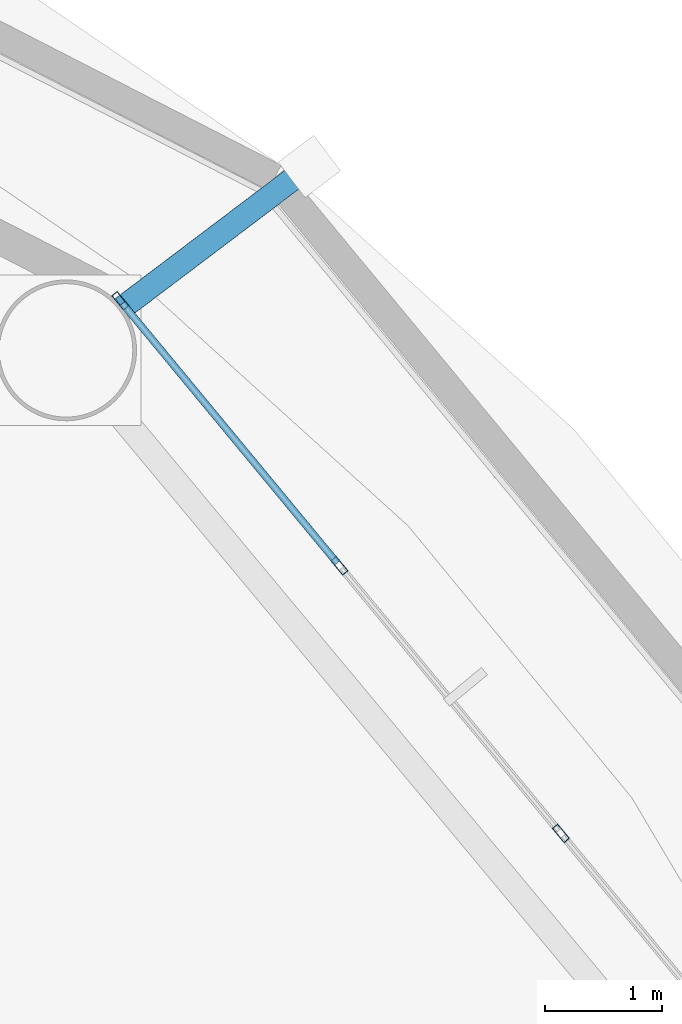
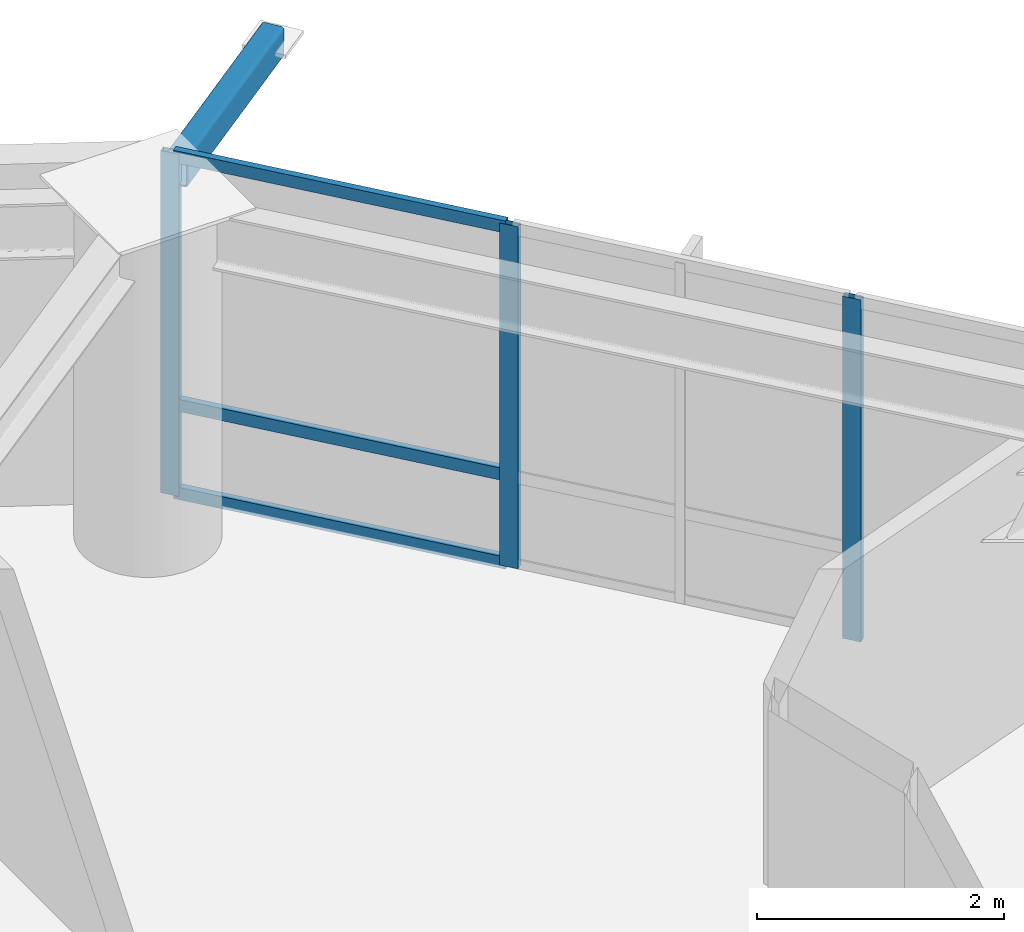
# One storey, part 15 of 27: 7 members, 1 element without a shape of its own.
"""IFC4 building model written with IfcOpenShell, lengths in metres."""

from ifc_helpers import new_model, si_unit, direction, frame, origin, origin_2d, place, context, subcontext, project, spatial, hollow_rectangle, extrude, material, layer, layer_set, material_profile, profile_set, type_object, element, aggregate, save


model = new_model("IFC4")

# Units and contexts
model_context = context("Model", 3, precision=1e-05, world=origin(), true_north=direction((0.0, 1.0)))
body_context = subcontext(model_context, "Body", "Model", "MODEL_VIEW")
ifc_project = project(units=[si_unit("LENGTHUNIT", "METRE"), si_unit("AREAUNIT", "SQUARE_METRE"), si_unit("VOLUMEUNIT", "CUBIC_METRE"), si_unit("PLANEANGLEUNIT", "RADIAN"), si_unit("MASSUNIT", "GRAM", prefix="KILO")], contexts=[model_context])

# Site, building, storey
site_placement = place(None, origin())
site = spatial("IfcSite", under=ifc_project, at=site_placement, CompositionType="ELEMENT")
building_placement = place(site_placement, origin())
building = spatial("IfcBuilding", under=site, at=building_placement, Name="Sarneth Arch Tower", CompositionType="ELEMENT")
storey_placement = place(building_placement, frame((0.0, 0.0, 150.60009765625)))
storey = spatial("IfcBuildingStorey", under=building, at=storey_placement, Name="L37", CompositionType="ELEMENT", Elevation=150.60009765625)

# Curtain wall, members
ifc_material_1 = material(Name="Anodised aluminium Type AA25 and solar-control low-e laminated IGU", Category="aluminium")
ifc_layer = layer(ifc_material_1, 0.169921875)
ifc_layer_set = layer_set([ifc_layer], Name="Anodised aluminium Type AA25 and solar-control low-e laminated IGU")
curtain_wall_type = type_object("IfcCurtainWallType", Name="CW-RES-MID", PredefinedType="NOTDEFINED", material=ifc_layer_set)
curtain_wall_placement = place(storey_placement, origin())
curtain_wall = element("IfcCurtainWall", 1, at=curtain_wall_placement, inside=storey, type_object=curtain_wall_type, Name="L37 Unitised curtain wall facet 02", PredefinedType="NOTDEFINED")
ifc_material_2 = material(Name="Anodised Aluminium 6063-T6", Category="aluminium")
ifc_material_profile_1 = material_profile(ifc_material_2, hollow_rectangle(XDim=0.06005859375, YDim=0.159912109375, WallThickness=0.00390625, at=origin_2d()), Name="AL-MULL-160x60x4")
ifc_profile_set_1 = profile_set([ifc_material_profile_1], Name="Anodised Aluminium 6063-T6")
member_type_1 = type_object("IfcMemberType", Name="CW-MULLION", PredefinedType="MULLION", material=ifc_profile_set_1)
member_1_placement = place(storey_placement, frame((71.346923828125, 52.3466796875, 0.0), z_axis=(0.0, 0.0, 1.0), x_axis=(-0.770590741276, -0.637330298558, 0.0)))
member_1 = element("IfcMember", 2, at=member_1_placement, type_object=member_type_1, Name="CW-SYS-5 mullion 2", PredefinedType="MULLION", context=body_context, shape_type="SweptSolid", body=[
    extrude(hollow_rectangle(XDim=0.06005859375, YDim=0.159912109375, WallThickness=0.00390625, at=origin_2d()), origin(), (0.0, 0.0, 1.0), 3.3798828125),
])
member_2_placement = place(storey_placement, frame((69.46142578125, 54.626220703125, 0.0), z_axis=(0.0, 0.0, 1.0), x_axis=(-0.770590741276, -0.637330298558, 0.0)))
member_2 = element("IfcMember", 3, at=member_2_placement, type_object=member_type_1, Name="CW-SYS-5 mullion 3", PredefinedType="MULLION", context=body_context, shape_type="SweptSolid", body=[
    extrude(hollow_rectangle(XDim=0.06005859375, YDim=0.159912109375, WallThickness=0.00390625, at=origin_2d()), origin(), (0.0, 0.0, 1.0), 3.3798828125),
])
member_3_placement = place(storey_placement, frame((67.59521484375, 56.8828125, 0.0), z_axis=(0.0, 0.0, 1.0), x_axis=(-0.770590741276, -0.637330298558, 0.0)))
member_3 = element("IfcMember", 4, at=member_3_placement, type_object=member_type_1, Name="CW-SYS-5 mullion 4", PredefinedType="MULLION", context=body_context, shape_type="SweptSolid", body=[
    extrude(hollow_rectangle(XDim=0.06005859375, YDim=0.159912109375, WallThickness=0.00390625, at=origin_2d()), origin(), (0.0, 0.0, 1.0), 3.3798828125),
])
ifc_material_3 = material(Name="Anodised Aluminium 6063-T6", Category="aluminium")
ifc_material_profile_2 = material_profile(ifc_material_3, hollow_rectangle(XDim=0.06005859375, YDim=0.1201171875, WallThickness=0.00390625, at=origin_2d()), Name="AL-TRAN-120x60x4")
ifc_profile_set_2 = profile_set([ifc_material_profile_2], Name="Anodised Aluminium 6063-T6")
member_type_2 = type_object("IfcMemberType", Name="CW-TRANSOM", PredefinedType="USERDEFINED", material=ifc_profile_set_2)
member_4_placement = place(storey_placement, frame((69.4423828125, 54.6494140625, 0.02978515625), z_axis=(-0.637358651504, 0.770567290607, 0.0), x_axis=(-0.770567290607, -0.637358651504, 0.0)))
member_4 = element("IfcMember", 5, at=member_4_placement, type_object=member_type_2, Name="CW-SYS-5 transom 3.1", ObjectType="TRANSOM", PredefinedType="USERDEFINED", context=body_context, shape_type="SweptSolid", body=[
    extrude(hollow_rectangle(XDim=0.06005859375, YDim=0.1201171875, WallThickness=0.00390625, at=origin_2d()), origin(), (0.0, 0.0, 1.0), 2.8681640625),
])
member_5_placement = place(storey_placement, frame((69.4423828125, 54.6494140625, 0.89990234375), z_axis=(-0.637358651504, 0.770567290607, 0.0), x_axis=(-0.770567290607, -0.637358651504, 0.0)))
member_5 = element("IfcMember", 6, at=member_5_placement, type_object=member_type_2, Name="CW-SYS-5 transom 3.2", ObjectType="TRANSOM", PredefinedType="USERDEFINED", context=body_context, shape_type="SweptSolid", body=[
    extrude(hollow_rectangle(XDim=0.06005859375, YDim=0.1201171875, WallThickness=0.00390625, at=origin_2d()), origin(), (0.0, 0.0, 1.0), 2.8681640625),
])
member_6_placement = place(storey_placement, frame((69.4423828125, 54.6494140625, 3.349853515625), z_axis=(-0.637358651504, 0.770567290607, 0.0), x_axis=(-0.770567290607, -0.637358651504, 0.0)))
member_6 = element("IfcMember", 7, at=member_6_placement, type_object=member_type_2, Name="CW-SYS-5 transom 3.3", ObjectType="TRANSOM", PredefinedType="USERDEFINED", context=body_context, shape_type="SweptSolid", body=[
    extrude(hollow_rectangle(XDim=0.06005859375, YDim=0.1201171875, WallThickness=0.00390625, at=origin_2d()), origin(), (0.0, 0.0, 1.0), 2.8681640625),
])
aggregate(curtain_wall, [member_1, member_2, member_3, member_4, member_5, member_6])

# Member
ifc_material_4 = material(Name="Steel S355", Category="steel")
ifc_material_profile_3 = material_profile(ifc_material_4, hollow_rectangle(XDim=0.199951171875, YDim=0.300048828125, WallThickness=0.012451171875, InnerFilletRadius=0.018798828125, OuterFilletRadius=0.03125, at=origin_2d()), Name="RHS300x200x12.5")
ifc_profile_set_3 = profile_set([ifc_material_profile_3], Name="Steel S355")
member_type_3 = type_object("IfcMemberType", Name="MEM-CANT-STRUT", PredefinedType="STRUT", material=ifc_profile_set_3)
member_7_placement = place(storey_placement, frame((67.612548828125, 56.822021484375, 3.219970703125), z_axis=(0.797779785, 0.602948932037, 0.0), x_axis=(-0.602948932037, 0.797779785, 0.0)))
element("IfcMember", 8, at=member_7_placement, inside=storey, type_object=member_type_3, Name="L37 Balcony cantilever bracket 03", PredefinedType="STRUT", context=body_context, shape_type="SweptSolid", body=[
    extrude(hollow_rectangle(XDim=0.199951171875, YDim=0.300048828125, WallThickness=0.012451171875, InnerFilletRadius=0.018798828125, OuterFilletRadius=0.03125, at=origin_2d()), origin(), (0.0, 0.0, 1.0), 1.997314453125),
])

save(model, "model.ifc")
